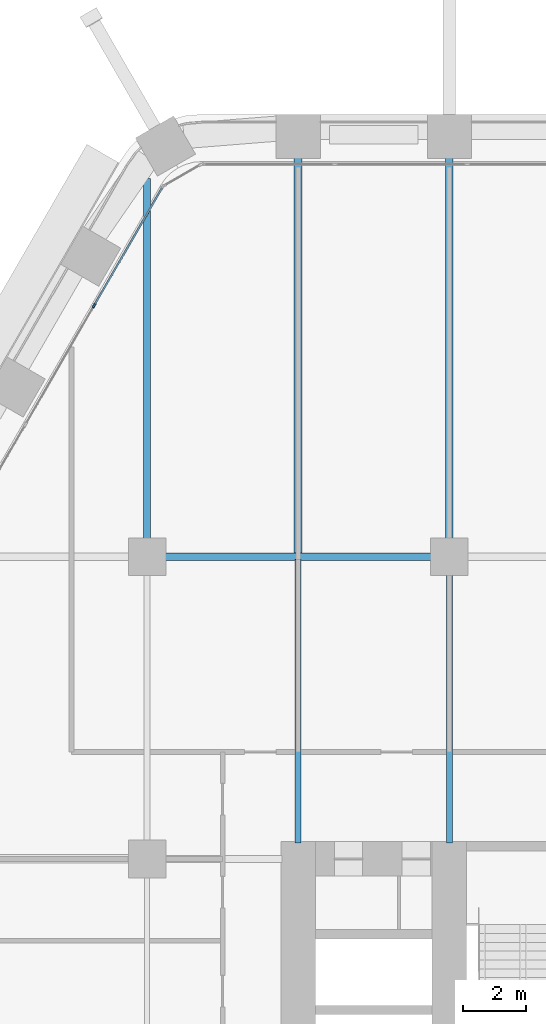
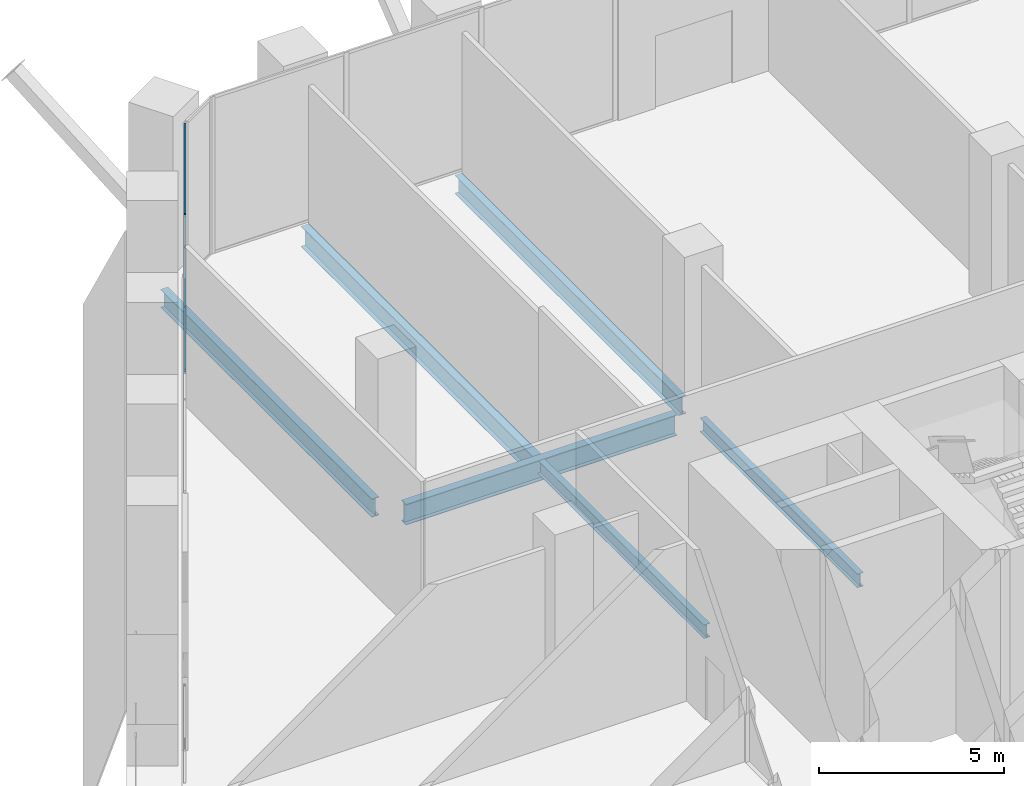
# One storey, part 8 of 29: 6 beams, 3 members, 1 element without a shape of its own.
"""IFC4 building model written with IfcOpenShell, lengths in metres."""

from ifc_helpers import new_model, si_unit, direction, frame, origin, origin_2d, place, context, subcontext, project, spatial, rectangle, i_section, extrude, material, material_profile, profile_set, type_object, element, aggregate, save


model = new_model("IFC4")

# Units and contexts
model_context = context("Model", 3, precision=1e-05, world=origin(), true_north=direction((0.0, 1.0)))
body_context = subcontext(model_context, "Body", "Model", "MODEL_VIEW")
ifc_project = project(units=[si_unit("LENGTHUNIT", "METRE"), si_unit("AREAUNIT", "SQUARE_METRE"), si_unit("VOLUMEUNIT", "CUBIC_METRE"), si_unit("PLANEANGLEUNIT", "RADIAN"), si_unit("MASSUNIT", "GRAM", prefix="KILO")], contexts=[model_context])

# Site, building, storey
site_placement = place(None, origin())
site = spatial("IfcSite", under=ifc_project, at=site_placement, CompositionType="ELEMENT")
building_placement = place(site_placement, origin())
building = spatial("IfcBuilding", under=site, at=building_placement, Name="Kolab Exchange Tower", CompositionType="ELEMENT")
storey_placement = place(building_placement, frame((0.0, 0.0, 33.39990234375)))
storey = spatial("IfcBuildingStorey", under=building, at=storey_placement, Name="L06", CompositionType="ELEMENT", Elevation=33.39990234375)

# Beams
ifc_material_1 = material(Name="Steel S355", Category="steel")
ifc_material_profile_1 = material_profile(ifc_material_1, i_section(OverallWidth=0.18994140625, OverallDepth=0.45703125, WebThickness=0.009033203125, FlangeThickness=0.014404296875, at=origin_2d()), Name="W460X74")
ifc_profile_set_1 = profile_set([ifc_material_profile_1], Name="Steel S355")
beam_type_1 = type_object("IfcBeamType", Name="FLOOR BEAM W460X74", PredefinedType="BEAM", material=ifc_profile_set_1)
beam_1_placement = place(storey_placement, frame((-14.39990234375, 10.110107421875, -0.478515625), z_axis=(0.0, 1.0, 0.0), x_axis=(-1.0, 0.0, 0.0)))
element("IfcBeam", 1, at=beam_1_placement, inside=storey, type_object=beam_type_1, Name="beam/L06/fr/020", PredefinedType="BEAM", context=body_context, shape_type="SweptSolid", body=[
    extrude(i_section(OverallWidth=0.18994140625, OverallDepth=0.45703125, WebThickness=0.009033203125, FlangeThickness=0.014404296875, at=origin_2d()), origin(), (0.0, 0.0, 1.0), 9.0029296875),
])
beam_2_placement = place(storey_placement, frame((-9.60009765625, 10.110107421875, -0.478515625), z_axis=(0.0, 1.0, 0.0), x_axis=(-1.0, 0.0, 0.0)))
element("IfcBeam", 2, at=beam_2_placement, inside=storey, type_object=beam_type_1, Name="beam/L06/fr/024", PredefinedType="BEAM", context=body_context, shape_type="SweptSolid", body=[
    extrude(i_section(OverallWidth=0.18994140625, OverallDepth=0.45703125, WebThickness=0.009033203125, FlangeThickness=0.014404296875, at=origin_2d()), origin(), (0.0, 0.0, 1.0), 8.52978515625),
])
ifc_material_profile_2 = material_profile(ifc_material_1, i_section(OverallWidth=0.22802734375, OverallDepth=0.60791015625, WebThickness=0.01123046875, FlangeThickness=0.017333984375, at=origin_2d()), Name="W610X113")
ifc_profile_set_2 = profile_set([ifc_material_profile_2], Name="Steel S355")
beam_type_2 = type_object("IfcBeamType", Name="FLOOR BEAM W610X113", PredefinedType="BEAM", material=ifc_profile_set_2)
beam_3_placement = place(storey_placement, frame((-19.199951171875, 19.760009765625, -0.553955078125), z_axis=(0.0, 1.0, 0.0), x_axis=(-1.0, 0.0, 0.0)))
element("IfcBeam", 3, at=beam_3_placement, inside=storey, type_object=beam_type_2, Name="beam/L06/fr/017", PredefinedType="BEAM", context=body_context, shape_type="SweptSolid", body=[
    extrude(i_section(OverallWidth=0.22802734375, OverallDepth=0.60791015625, WebThickness=0.01123046875, FlangeThickness=0.017333984375, at=origin_2d()), origin(), (0.0, 0.0, 1.0), 11.45458984375),
])
beam_4_placement = place(storey_placement, frame((-9.60009765625, 19.760009765625, -0.553955078125), z_axis=(0.0, 1.0, 0.0), x_axis=(-1.0, 0.0, 0.0)))
element("IfcBeam", 4, at=beam_4_placement, inside=storey, type_object=beam_type_2, Name="beam/L06/fr/025", PredefinedType="BEAM", context=body_context, shape_type="SweptSolid", body=[
    extrude(i_section(OverallWidth=0.22802734375, OverallDepth=0.60791015625, WebThickness=0.01123046875, FlangeThickness=0.017333984375, at=origin_2d()), origin(), (0.0, 0.0, 1.0), 12.135498046875),
])
ifc_material_profile_3 = material_profile(ifc_material_1, i_section(OverallWidth=0.25390625, OverallDepth=0.68408203125, WebThickness=0.012451171875, FlangeThickness=0.018798828125, at=origin_2d()), Name="W690X140")
ifc_profile_set_3 = profile_set([ifc_material_profile_3], Name="Steel S355")
beam_type_3 = type_object("IfcBeamType", Name="FLOOR BEAM W690X140", PredefinedType="BEAM", material=ifc_profile_set_3)
beam_5_placement = place(storey_placement, frame((-14.39990234375, 19.287109375, -0.591796875), z_axis=(0.0, 1.0, 0.0), x_axis=(-1.0, 0.0, 0.0)))
element("IfcBeam", 5, at=beam_5_placement, inside=storey, type_object=beam_type_3, Name="beam/L06/fr/021", PredefinedType="BEAM", context=body_context, shape_type="SweptSolid", body=[
    extrude(i_section(OverallWidth=0.25390625, OverallDepth=0.68408203125, WebThickness=0.012451171875, FlangeThickness=0.018798828125, at=origin_2d()), origin(), (0.0, 0.0, 1.0), 12.6083984375),
])
ifc_material_profile_4 = material_profile(ifc_material_1, i_section(OverallWidth=0.25390625, OverallDepth=0.68408203125, WebThickness=0.012451171875, FlangeThickness=0.018798828125, at=origin_2d()), Name="W690X140")
ifc_profile_set_4 = profile_set([ifc_material_profile_4], Name="Steel S355")
beam_type_4 = type_object("IfcBeamType", Name="FLOOR GIRDER W690X140", PredefinedType="BEAM", material=ifc_profile_set_4)
beam_6_placement = place(storey_placement, frame((-18.639892578125, 19.199951171875, -0.591796875), z_axis=(1.0, 0.0, 0.0), x_axis=(0.0, 1.0, 0.0)))
element("IfcBeam", 6, at=beam_6_placement, inside=storey, type_object=beam_type_4, Name="beam/L06/gd/009", PredefinedType="BEAM", context=body_context, shape_type="SweptSolid", body=[
    extrude(i_section(OverallWidth=0.25390625, OverallDepth=0.68408203125, WebThickness=0.012451171875, FlangeThickness=0.018798828125, at=origin_2d()), origin(), (0.0, 0.0, 1.0), 8.47998046875),
])

# Curtain wall, members
ifc_material_2 = material(Name="Aluminium EN AW-6063 T6", Category="aluminium")
curtain_wall_type = type_object("IfcCurtainWallType", Name="UNITISED LOW ZONE CURTAIN WALL", PredefinedType="NOTDEFINED", material=ifc_material_2)
curtain_wall_placement = place(storey_placement, origin())
curtain_wall = element("IfcCurtainWall", 7, at=curtain_wall_placement, inside=storey, type_object=curtain_wall_type, Name="cw/L06/F6-2", PredefinedType="NOTDEFINED")
ifc_material_profile_5 = material_profile(ifc_material_2, rectangle(XDim=0.06005859375, YDim=0.159912109375, at=origin_2d()), Name="RECT 60X160")
ifc_profile_set_5 = profile_set([ifc_material_profile_5], Name="Aluminium EN AW-6063 T6")
member_type_1 = type_object("IfcMemberType", Name="UNITISED LOW ZONE MULLION 60 X 160", PredefinedType="MULLION", material=ifc_profile_set_5)
member_1_placement = place(storey_placement, frame((-20.881103515625, 27.183349609375, 0.0), z_axis=(0.0, 0.0, 1.0), x_axis=(-0.866025397318, 0.5000000112, 0.0)))
member_1 = element("IfcMember", 8, at=member_1_placement, type_object=member_type_1, Name="CW1 mullion 4", PredefinedType="MULLION", context=body_context, shape_type="SweptSolid", body=[
    extrude(rectangle(XDim=0.06005859375, YDim=0.159912109375, at=origin_2d()), origin(), (0.0, 0.0, 1.0), 5.2001953125),
])
ifc_material_profile_6 = material_profile(ifc_material_2, rectangle(XDim=0.06005859375, YDim=0.10009765625, at=origin_2d()), Name="RECT 60X100")
ifc_profile_set_6 = profile_set([ifc_material_profile_6], Name="Aluminium EN AW-6063 T6")
member_type_2 = type_object("IfcMemberType", Name="UNITISED LOW ZONE TRANSOM 60 X 100", PredefinedType="USERDEFINED", material=ifc_profile_set_6)
member_2_placement = place(storey_placement, frame((-20.8662109375, 27.20947265625, 0.030029296875), z_axis=(0.500000816281, 0.866024932504, 0.0), x_axis=(-0.866024932504, 0.500000816281, 0.0)))
member_2 = element("IfcMember", 9, at=member_2_placement, type_object=member_type_2, Name="CW1 transom 4.1", ObjectType="TRANSOM", PredefinedType="USERDEFINED", context=body_context, shape_type="SweptSolid", body=[
    extrude(rectangle(XDim=0.06005859375, YDim=0.10009765625, at=origin_2d()), origin(), (0.0, 0.0, 1.0), 4.27685546875),
])
member_3_placement = place(storey_placement, frame((-20.8662109375, 27.20947265625, 5.170166015625), z_axis=(0.500000816281, 0.866024932504, 0.0), x_axis=(-0.866024932504, 0.500000816281, 0.0)))
member_3 = element("IfcMember", 10, at=member_3_placement, type_object=member_type_2, Name="CW1 transom 4.2", ObjectType="TRANSOM", PredefinedType="USERDEFINED", context=body_context, shape_type="SweptSolid", body=[
    extrude(rectangle(XDim=0.06005859375, YDim=0.10009765625, at=origin_2d()), origin(), (0.0, 0.0, 1.0), 4.27685546875),
])
aggregate(curtain_wall, [member_1, member_2, member_3])

save(model, "model.ifc")
